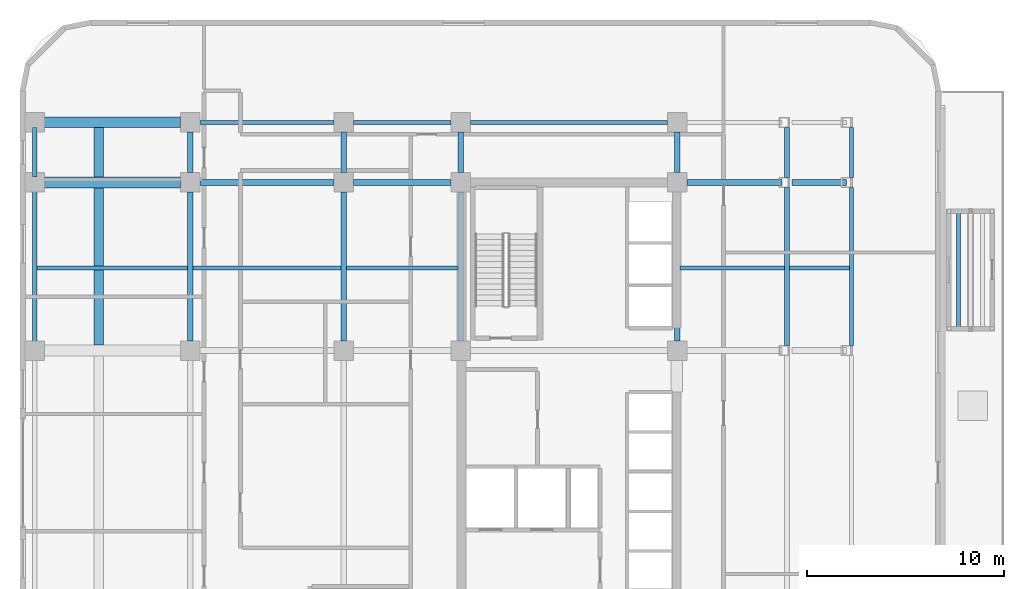
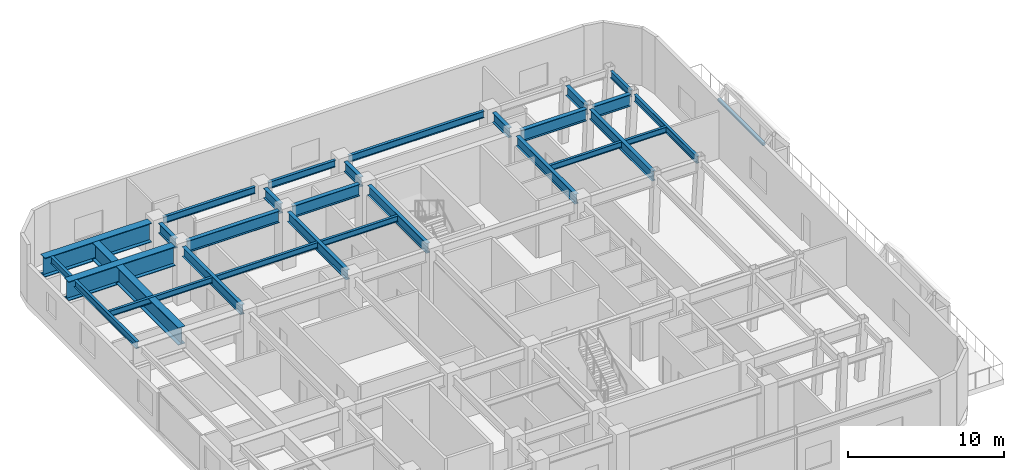
# One storey, part 5 of 18: 30 beams, 1 member.
"""IFC4 building model written with IfcOpenShell, lengths in metres."""

import ifcopenshell
import ifcopenshell.guid

model = None  # the IFC model being written
_history = None  # IfcOwnerHistory: only IFC2X3 demands one
_inside = {}  # id of a spatial element -> (the spatial element, [elements in it])
_under = {}  # id of a project, library or spatial element -> (it, [spatial elements below it])
_declared = {}  # id of a project -> (the project, [libraries it declares])
_typed = {}  # id of a type object -> (the type object, [elements of that type])
_made_of = {}  # id of a material, layer set ... -> (it, [elements and type objects made of it])


def new_model(schema):
    """Start an empty IFC model of exactly this schema.

    Asked for "IFC4X3", IfcOpenShell would pick the latest addendum, in which some entities
    have other attributes; the version numbers below select the first issue.
    IFC2X3 requires an IfcOwnerHistory on every rooted entity: one is made here for all.
    """
    global model, _history
    if schema == "IFC4X3":
        model = ifcopenshell.file(schema_version=(4, 3, 0, 0))
    else:
        model = ifcopenshell.file(schema=schema)
    _inside.clear()
    _under.clear()
    _declared.clear()
    _typed.clear()
    _made_of.clear()
    _history = None
    if model.schema == "IFC2X3":
        org = make("IfcOrganization", Name="unknown")
        user = make(
            "IfcPersonAndOrganization",
            ThePerson=make("IfcPerson", FamilyName="unknown"),
            TheOrganization=org,
        )
        app = make(
            "IfcApplication",
            ApplicationDeveloper=org,
            Version="unknown",
            ApplicationFullName="unknown",
            ApplicationIdentifier="unknown",
        )
        _history = make(
            "IfcOwnerHistory",
            OwningUser=user,
            OwningApplication=app,
            ChangeAction="ADDED",
            CreationDate=0,
        )
    return model


def make(cls, **values):
    """One entity of the class cls with the attributes given. An attribute that is None is left unset."""
    return model.create_entity(
        cls, **{name: value for name, value in values.items() if value is not None}
    )


def rooted(cls, **values):
    """An entity with a GlobalId (a new one), such as an element, a storey or a relation."""
    return make(cls, GlobalId=ifcopenshell.guid.new(), OwnerHistory=_history, **values)


def si_unit(unit_type, name, prefix=None):
    """IfcSIUnit, for example si_unit("LENGTHUNIT", "METRE", prefix="MILLI")."""
    return make("IfcSIUnit", UnitType=unit_type, Prefix=prefix, Name=name)


def assignment(units):
    """IfcUnitAssignment: the units of a project."""
    return None if units is None else make("IfcUnitAssignment", Units=units)


def point(xyz):
    """IfcCartesianPoint."""
    return None if xyz is None else make("IfcCartesianPoint", Coordinates=xyz)


def direction(xyz):
    """IfcDirection."""
    return None if xyz is None else make("IfcDirection", DirectionRatios=xyz)


def frame(location, z_axis=None, x_axis=None):
    """IfcAxis2Placement3D, a coordinate frame: its origin and axes. An axis left out is left unset."""
    return make(
        "IfcAxis2Placement3D",
        Location=point(location),
        Axis=direction(z_axis),
        RefDirection=direction(x_axis),
    )


def frame_2d(location, x_axis=None):
    """IfcAxis2Placement2D, a coordinate frame in the plane: its origin and x axis."""
    return make(
        "IfcAxis2Placement2D", Location=point(location), RefDirection=direction(x_axis)
    )


def origin():
    """The frame at (0, 0, 0) with its axes left unset."""
    return frame((0.0, 0.0, 0.0))


def origin_2d():
    """The frame at (0, 0) in the plane with its x axis left unset."""
    return frame_2d((0.0, 0.0))


def place(relative_to, where):
    """IfcLocalPlacement: puts the frame where relative to a parent placement (None: the world)."""
    return make(
        "IfcLocalPlacement", PlacementRelTo=relative_to, RelativePlacement=where
    )


def context(
    kind, dimensions, precision=None, world=None, true_north=None, identifier=None
):
    """IfcGeometricRepresentationContext, for example the 3D "Model" context."""
    return make(
        "IfcGeometricRepresentationContext",
        ContextIdentifier=identifier,
        ContextType=kind,
        CoordinateSpaceDimension=dimensions,
        Precision=precision,
        WorldCoordinateSystem=world,
        TrueNorth=true_north,
    )


def subcontext(parent, identifier, kind, view, scale=None):
    """IfcGeometricRepresentationSubContext, for example "Body" below "Model"."""
    return make(
        "IfcGeometricRepresentationSubContext",
        ContextIdentifier=identifier,
        ContextType=kind,
        ParentContext=parent,
        TargetScale=scale,
        TargetView=view,
    )


def project(units=None, contexts=None):
    """IfcProject with its units and contexts."""
    return rooted(
        "IfcProject",
        Name="project",
        RepresentationContexts=contexts,
        UnitsInContext=assignment(units),
    )


def spatial(cls, under=None, at=None, **own):
    """A site, building, storey or space (cls), placed at a placement, below another one or the project."""
    s = rooted(cls, ObjectPlacement=at, **own)
    if under is not None:
        _under.setdefault(under.id(), (under, []))[1].append(s)
    return s


def profile(cls, at=None, kind="AREA", **sizes):
    """A parametric profile (cls). Its sizes go by their IFC names, for example OverallWidth=200.0."""
    return make(cls, ProfileType=kind, Position=at, **sizes)


def hollow_rectangle(**sizes):
    """IfcRectangleHollowProfileDef."""
    return profile("IfcRectangleHollowProfileDef", **sizes)


def i_section(**sizes):
    """IfcIShapeProfileDef."""
    return profile("IfcIShapeProfileDef", **sizes)


def extrude(swept, where, along, depth):
    """IfcExtrudedAreaSolid: the profile swept, set in the frame where, extruded along a direction by depth."""
    return make(
        "IfcExtrudedAreaSolid",
        SweptArea=swept,
        Position=where,
        ExtrudedDirection=direction(along),
        Depth=depth,
    )


def shape(context_of_items, identifier, shape_type, items):
    """IfcShapeRepresentation: the items that make up one representation, for example the "Body"."""
    return make(
        "IfcShapeRepresentation",
        ContextOfItems=context_of_items,
        RepresentationIdentifier=identifier,
        RepresentationType=shape_type,
        Items=items,
    )


def material(Name=None, Category=None):
    """IfcMaterial."""
    return make("IfcMaterial", Name=Name, Category=Category)


def material_profile(
    of_material, cross_section, Name=None, Category=None, Priority=None
):
    """IfcMaterialProfile: a cross section and its material."""
    return make(
        "IfcMaterialProfile",
        Name=Name,
        Material=of_material,
        Profile=cross_section,
        Priority=Priority,
        Category=Category,
    )


def profile_set(profiles, Name=None, composite=None):
    """IfcMaterialProfileSet."""
    return make(
        "IfcMaterialProfileSet",
        Name=Name,
        MaterialProfiles=profiles,
        CompositeProfile=composite,
    )


def made_of(thing, what):
    """Note that an element or type object is made of a material, layer set ...; save() writes the relation."""
    if what is not None:
        _made_of.setdefault(what.id(), (what, []))[1].append(thing)
    return thing


def type_object(cls, material=None, **own):
    """A type object (cls), such as IfcWallType, which elements share."""
    return made_of(rooted(cls, **own), material)


def element(
    cls,
    number,
    at=None,
    inside=None,
    cuts=None,
    type_object=None,
    material=None,
    context=None,
    identifier="Body",
    shape_type=None,
    held_by="IfcProductDefinitionShape",
    body=None,
    shapes=None,
    **own,
):
    """One element of the class cls, such as IfcWall. Its Tag is "e" and its number.

    at: its placement. inside: the storey or other place that contains it. cuts: it is an
    opening in that element (IfcRelVoidsElement). A single representation is given by context,
    identifier, shape_type and body (its items); several are given by shapes. held_by: the class
    of the entity that holds the representations. save() writes the other relations.
    """
    e = rooted(cls, Tag="e%d" % number, ObjectPlacement=at, **own)
    if body is not None:
        shapes = [shape(context, identifier, shape_type, body)]
    if shapes is not None:
        e.Representation = make(held_by, Representations=shapes)
    if inside is not None:
        _inside.setdefault(inside.id(), (inside, []))[1].append(e)
    if cuts is not None:
        rooted(
            "IfcRelVoidsElement", RelatingBuildingElement=cuts, RelatedOpeningElement=e
        )
    if type_object is not None:
        _typed.setdefault(type_object.id(), (type_object, []))[1].append(e)
    return made_of(e, material)


def aggregate(whole, parts):
    """IfcRelAggregates: a whole, such as a stair, and the parts it consists of."""
    return rooted("IfcRelAggregates", RelatingObject=whole, RelatedObjects=parts)


def save(model, path):
    """Write the relations noted so far, then the file.

    IfcRelAggregates (storeys below a building ...), IfcRelContainedInSpatialStructure (elements
    in a storey), IfcRelDefinesByType, IfcRelAssociatesMaterial and IfcRelDeclares: one each for
    every whole, place, type object, material and project.
    """
    for whole, parts in _under.values():
        aggregate(whole, parts)
    for where, things in _inside.values():
        rooted(
            "IfcRelContainedInSpatialStructure",
            RelatedElements=things,
            RelatingStructure=where,
        )
    for kind, things in _typed.values():
        rooted("IfcRelDefinesByType", RelatedObjects=things, RelatingType=kind)
    for what, things in _made_of.values():
        rooted("IfcRelAssociatesMaterial", RelatedObjects=things, RelatingMaterial=what)
    for by, libraries in _declared.values():
        rooted("IfcRelDeclares", RelatingContext=by, RelatedDefinitions=libraries)
    model.write(path)


model = new_model("IFC4")

# Units and contexts
model_context = context("Model", 3, precision=1e-05, world=origin(), true_north=direction((0.0, 1.0)))
body_context = subcontext(model_context, "Body", "Model", "MODEL_VIEW")
ifc_project = project(units=[si_unit("LENGTHUNIT", "METRE"), si_unit("AREAUNIT", "SQUARE_METRE"), si_unit("VOLUMEUNIT", "CUBIC_METRE"), si_unit("PLANEANGLEUNIT", "RADIAN"), si_unit("MASSUNIT", "GRAM", prefix="KILO")], contexts=[model_context])

# Site, building, storey
site_placement = place(None, origin())
site = spatial("IfcSite", under=ifc_project, at=site_placement, CompositionType="ELEMENT")
building_placement = place(site_placement, origin())
building = spatial("IfcBuilding", under=site, at=building_placement, Name="Ochreholt Gables", CompositionType="ELEMENT")
storey_placement = place(building_placement, frame((0.0, 0.0, 19.199951171875)))
storey = spatial("IfcBuildingStorey", under=building, at=storey_placement, Name="L04", CompositionType="ELEMENT", Elevation=19.199951171875)

# Beams
ifc_material = material(Name="Steel CSA G40.21 350W", Category="steel")
ifc_material_profile_1 = material_profile(ifc_material, i_section(OverallWidth=0.26806640625, OverallDepth=0.77001953125, WebThickness=0.015625, FlangeThickness=0.025390625, at=origin_2d()), Name="W760X196")
ifc_profile_set_1 = profile_set([ifc_material_profile_1], Name="Steel CSA G40.21 350W")
beam_type_1 = type_object("IfcBeamType", Name="BM-G-W760", PredefinedType="BEAM", material=ifc_profile_set_1)
beam_1_placement = place(storey_placement, frame((10.449951171875, 30.69970703125, 4.114990234375), z_axis=(0.0, 1.0, 0.0), x_axis=(-1.0, 0.0, 0.0)))
element("IfcBeam", 1, at=beam_1_placement, inside=storey, type_object=beam_type_1, Name="L04 Beam BG-L04-W2-Y4Y5", PredefinedType="BEAM", context=body_context, shape_type="SweptSolid", body=[
    extrude(i_section(OverallWidth=0.26806640625, OverallDepth=0.77001953125, WebThickness=0.015625, FlangeThickness=0.025390625, at=origin_2d()), origin(), (0.0, 0.0, 1.0), 7.55078125),
])
beam_2_placement = place(storey_placement, frame((10.449951171875, 39.24951171875, 4.114990234375), z_axis=(0.0, 1.0, 0.0), x_axis=(-1.0, 0.0, 0.0)))
element("IfcBeam", 2, at=beam_2_placement, inside=storey, type_object=beam_type_1, Name="L04 Beam BG-L04-W2-Y5Y6", PredefinedType="BEAM", context=body_context, shape_type="SweptSolid", body=[
    extrude(i_section(OverallWidth=0.26806640625, OverallDepth=0.77001953125, WebThickness=0.015625, FlangeThickness=0.025390625, at=origin_2d()), origin(), (0.0, 0.0, 1.0), 2.05078125),
])
beam_3_placement = place(storey_placement, frame((18.25, 30.69970703125, 4.114990234375), z_axis=(0.0, 1.0, 0.0), x_axis=(-1.0, 0.0, 0.0)))
element("IfcBeam", 3, at=beam_3_placement, inside=storey, type_object=beam_type_1, Name="L04 Beam BG-L04-W3-Y4Y5", PredefinedType="BEAM", context=body_context, shape_type="SweptSolid", body=[
    extrude(i_section(OverallWidth=0.26806640625, OverallDepth=0.77001953125, WebThickness=0.015625, FlangeThickness=0.025390625, at=origin_2d()), origin(), (0.0, 0.0, 1.0), 7.55078125),
])
beam_4_placement = place(storey_placement, frame((18.25, 39.24951171875, 4.114990234375), z_axis=(0.0, 1.0, 0.0), x_axis=(-1.0, 0.0, 0.0)))
element("IfcBeam", 4, at=beam_4_placement, inside=storey, type_object=beam_type_1, Name="L04 Beam BG-L04-W3-Y5Y6", PredefinedType="BEAM", context=body_context, shape_type="SweptSolid", body=[
    extrude(i_section(OverallWidth=0.26806640625, OverallDepth=0.77001953125, WebThickness=0.015625, FlangeThickness=0.025390625, at=origin_2d()), origin(), (0.0, 0.0, 1.0), 2.05078125),
])
beam_5_placement = place(storey_placement, frame((24.199951171875, 30.69970703125, 4.114990234375), z_axis=(0.0, 1.0, 0.0), x_axis=(-1.0, 0.0, 0.0)))
element("IfcBeam", 5, at=beam_5_placement, inside=storey, type_object=beam_type_1, Name="L04 Beam BG-L04-C1-Y4Y5", PredefinedType="BEAM", context=body_context, shape_type="SweptSolid", body=[
    extrude(i_section(OverallWidth=0.26806640625, OverallDepth=0.77001953125, WebThickness=0.015625, FlangeThickness=0.025390625, at=origin_2d()), origin(), (0.0, 0.0, 1.0), 7.55078125),
])
beam_6_placement = place(storey_placement, frame((24.199951171875, 39.24951171875, 4.114990234375), z_axis=(0.0, 1.0, 0.0), x_axis=(-1.0, 0.0, 0.0)))
element("IfcBeam", 6, at=beam_6_placement, inside=storey, type_object=beam_type_1, Name="L04 Beam BG-L04-C1-Y5Y6", PredefinedType="BEAM", context=body_context, shape_type="SweptSolid", body=[
    extrude(i_section(OverallWidth=0.26806640625, OverallDepth=0.77001953125, WebThickness=0.015625, FlangeThickness=0.025390625, at=origin_2d()), origin(), (0.0, 0.0, 1.0), 2.05078125),
])
beam_7_placement = place(storey_placement, frame((35.199951171875, 30.69970703125, 4.114990234375), z_axis=(0.0, 1.0, 0.0), x_axis=(-1.0, 0.0, 0.0)))
element("IfcBeam", 7, at=beam_7_placement, inside=storey, type_object=beam_type_1, Name="L04 Beam BG-L04-C2-Y4Y5", PredefinedType="BEAM", context=body_context, shape_type="SweptSolid", body=[
    extrude(i_section(OverallWidth=0.26806640625, OverallDepth=0.77001953125, WebThickness=0.015625, FlangeThickness=0.025390625, at=origin_2d()), origin(), (0.0, 0.0, 1.0), 7.55078125),
])
beam_8_placement = place(storey_placement, frame((35.199951171875, 39.24951171875, 4.114990234375), z_axis=(0.0, 1.0, 0.0), x_axis=(-1.0, 0.0, 0.0)))
element("IfcBeam", 8, at=beam_8_placement, inside=storey, type_object=beam_type_1, Name="L04 Beam BG-L04-C2-Y5Y6", PredefinedType="BEAM", context=body_context, shape_type="SweptSolid", body=[
    extrude(i_section(OverallWidth=0.26806640625, OverallDepth=0.77001953125, WebThickness=0.015625, FlangeThickness=0.025390625, at=origin_2d()), origin(), (0.0, 0.0, 1.0), 2.05078125),
])
beam_9_placement = place(storey_placement, frame((40.77587890625, 30.44970703125, 4.114990234375), z_axis=(0.0, 1.0, 0.0), x_axis=(-1.0, 0.0, 0.0)))
element("IfcBeam", 9, at=beam_9_placement, inside=storey, type_object=beam_type_1, Name="L04 Beam BG-L04-EM-Y4Y5", PredefinedType="BEAM", context=body_context, shape_type="SweptSolid", body=[
    extrude(i_section(OverallWidth=0.26806640625, OverallDepth=0.77001953125, WebThickness=0.015625, FlangeThickness=0.025390625, at=origin_2d()), origin(), (0.0, 0.0, 1.0), 8.05078125),
])
beam_10_placement = place(storey_placement, frame((40.77587890625, 38.99951171875, 4.114990234375), z_axis=(0.0, 1.0, 0.0), x_axis=(-1.0, 0.0, 0.0)))
element("IfcBeam", 10, at=beam_10_placement, inside=storey, type_object=beam_type_1, Name="L04 Beam BG-L04-EM-Y5Y6", PredefinedType="BEAM", context=body_context, shape_type="SweptSolid", body=[
    extrude(i_section(OverallWidth=0.26806640625, OverallDepth=0.77001953125, WebThickness=0.015625, FlangeThickness=0.025390625, at=origin_2d()), origin(), (0.0, 0.0, 1.0), 2.55078125),
])
ifc_material_profile_2 = material_profile(ifc_material, i_section(OverallWidth=0.30810546875, OverallDepth=0.927001953125, WebThickness=0.019287109375, FlangeThickness=0.031982421875, at=origin_2d()), Name="W920X289")
ifc_profile_set_2 = profile_set([ifc_material_profile_2], Name="Steel CSA G40.21 350W")
beam_type_2 = type_object("IfcBeamType", Name="BM-G-W920", PredefinedType="BEAM", material=ifc_profile_set_2)
beam_11_placement = place(storey_placement, frame((10.94970703125, 38.75, 4.03662109375), z_axis=(1.0, 0.0, 0.0), x_axis=(0.0, 1.0, 0.0)))
element("IfcBeam", 11, at=beam_11_placement, inside=storey, type_object=beam_type_2, Name="L04 Beam BG-L04-W2W3-Y5", PredefinedType="BEAM", context=body_context, shape_type="SweptSolid", body=[
    extrude(i_section(OverallWidth=0.30810546875, OverallDepth=0.927001953125, WebThickness=0.019287109375, FlangeThickness=0.031982421875, at=origin_2d()), origin(), (0.0, 0.0, 1.0), 6.80078125),
])
beam_12_placement = place(storey_placement, frame((18.74951171875, 38.75, 4.03662109375), z_axis=(1.0, 0.0, 0.0), x_axis=(0.0, 1.0, 0.0)))
element("IfcBeam", 12, at=beam_12_placement, inside=storey, type_object=beam_type_2, Name="L04 Beam BG-L04-W3C1-Y5", PredefinedType="BEAM", context=body_context, shape_type="SweptSolid", body=[
    extrude(i_section(OverallWidth=0.30810546875, OverallDepth=0.927001953125, WebThickness=0.019287109375, FlangeThickness=0.031982421875, at=origin_2d()), origin(), (0.0, 0.0, 1.0), 4.950927734375),
])
beam_13_placement = place(storey_placement, frame((35.69970703125, 38.75, 4.03662109375), z_axis=(1.0, 0.0, 0.0), x_axis=(0.0, 1.0, 0.0)))
element("IfcBeam", 13, at=beam_13_placement, inside=storey, type_object=beam_type_2, Name="L04 Beam BG-L04-C2EM-Y5", PredefinedType="BEAM", context=body_context, shape_type="SweptSolid", body=[
    extrude(i_section(OverallWidth=0.30810546875, OverallDepth=0.927001953125, WebThickness=0.019287109375, FlangeThickness=0.031982421875, at=origin_2d()), origin(), (0.0, 0.0, 1.0), 4.82666015625),
])
beam_14_placement = place(storey_placement, frame((41.025634765625, 38.75, 4.03662109375), z_axis=(1.0, 0.0, 0.0), x_axis=(0.0, 1.0, 0.0)))
element("IfcBeam", 14, at=beam_14_placement, inside=storey, type_object=beam_type_2, Name="L04 Beam BG-L04-EMEE-Y5", PredefinedType="BEAM", context=body_context, shape_type="SweptSolid", body=[
    extrude(i_section(OverallWidth=0.30810546875, OverallDepth=0.927001953125, WebThickness=0.019287109375, FlangeThickness=0.031982421875, at=origin_2d()), origin(), (0.0, 0.0, 1.0), 2.773681640625),
])
ifc_material_profile_3 = material_profile(ifc_material, i_section(OverallWidth=0.18994140625, OverallDepth=0.45703125, WebThickness=0.009033203125, FlangeThickness=0.014404296875, at=origin_2d()), Name="W460X74")
ifc_profile_set_3 = profile_set([ifc_material_profile_3], Name="Steel CSA G40.21 350W")
beam_type_3 = type_object("IfcBeamType", Name="BM-J-W460B", PredefinedType="JOIST", material=ifc_profile_set_3)
beam_15_placement = place(storey_placement, frame((2.654052734375, 34.39990234375, 4.271484375), z_axis=(1.0, 0.0, 0.0), x_axis=(0.0, 1.0, 0.0)))
element("IfcBeam", 15, at=beam_15_placement, inside=storey, type_object=beam_type_3, Name="L04 Beam BJ-L04-J2-W1W2", PredefinedType="JOIST", context=body_context, shape_type="SweptSolid", body=[
    extrude(i_section(OverallWidth=0.18994140625, OverallDepth=0.45703125, WebThickness=0.009033203125, FlangeThickness=0.014404296875, at=origin_2d()), origin(), (0.0, 0.0, 1.0), 7.662353515625),
])
beam_16_placement = place(storey_placement, frame((10.58349609375, 34.39990234375, 4.271484375), z_axis=(1.0, 0.0, 0.0), x_axis=(0.0, 1.0, 0.0)))
element("IfcBeam", 16, at=beam_16_placement, inside=storey, type_object=beam_type_3, Name="L04 Beam BJ-L04-J2-W2W3", PredefinedType="JOIST", context=body_context, shape_type="SweptSolid", body=[
    extrude(i_section(OverallWidth=0.18994140625, OverallDepth=0.45703125, WebThickness=0.009033203125, FlangeThickness=0.014404296875, at=origin_2d()), origin(), (0.0, 0.0, 1.0), 7.532958984375),
])
beam_17_placement = place(storey_placement, frame((18.383544921875, 34.39990234375, 4.271484375), z_axis=(1.0, 0.0, 0.0), x_axis=(0.0, 1.0, 0.0)))
element("IfcBeam", 17, at=beam_17_placement, inside=storey, type_object=beam_type_3, Name="L04 Beam BJ-L04-J2-W3C1", PredefinedType="JOIST", context=body_context, shape_type="SweptSolid", body=[
    extrude(i_section(OverallWidth=0.18994140625, OverallDepth=0.45703125, WebThickness=0.009033203125, FlangeThickness=0.014404296875, at=origin_2d()), origin(), (0.0, 0.0, 1.0), 5.682861328125),
])
beam_18_placement = place(storey_placement, frame((35.33349609375, 34.39990234375, 4.271484375), z_axis=(1.0, 0.0, 0.0), x_axis=(0.0, 1.0, 0.0)))
element("IfcBeam", 18, at=beam_18_placement, inside=storey, type_object=beam_type_3, Name="L04 Beam BJ-L04-J2-C2EM", PredefinedType="JOIST", context=body_context, shape_type="SweptSolid", body=[
    extrude(i_section(OverallWidth=0.18994140625, OverallDepth=0.45703125, WebThickness=0.009033203125, FlangeThickness=0.014404296875, at=origin_2d()), origin(), (0.0, 0.0, 1.0), 5.308837890625),
])
beam_19_placement = place(storey_placement, frame((40.90966796875, 34.39990234375, 4.271484375), z_axis=(1.0, 0.0, 0.0), x_axis=(0.0, 1.0, 0.0)))
element("IfcBeam", 19, at=beam_19_placement, inside=storey, type_object=beam_type_3, Name="L04 Beam BJ-L04-J2-EMEE", PredefinedType="JOIST", context=body_context, shape_type="SweptSolid", body=[
    extrude(i_section(OverallWidth=0.18994140625, OverallDepth=0.45703125, WebThickness=0.009033203125, FlangeThickness=0.014404296875, at=origin_2d()), origin(), (0.0, 0.0, 1.0), 3.034912109375),
])
ifc_material_profile_4 = material_profile(ifc_material, i_section(OverallWidth=0.208984375, OverallDepth=0.532958984375, WebThickness=0.01025390625, FlangeThickness=0.015625, at=origin_2d()), Name="W530X92")
ifc_profile_set_4 = profile_set([ifc_material_profile_4], Name="Steel CSA G40.21 350W")
beam_type_4 = type_object("IfcBeamType", Name="BM-SP-W530B", PredefinedType="SPANDREL", material=ifc_profile_set_4)
beam_20_placement = place(storey_placement, frame((10.94970703125, 41.800048828125, 4.233642578125), z_axis=(1.0, 0.0, 0.0), x_axis=(0.0, 1.0, 0.0)))
element("IfcBeam", 20, at=beam_20_placement, inside=storey, type_object=beam_type_4, Name="L04 Beam BG-L04-W2W3-Y6", PredefinedType="SPANDREL", context=body_context, shape_type="SweptSolid", body=[
    extrude(i_section(OverallWidth=0.208984375, OverallDepth=0.532958984375, WebThickness=0.01025390625, FlangeThickness=0.015625, at=origin_2d()), origin(), (0.0, 0.0, 1.0), 6.80078125),
])
beam_21_placement = place(storey_placement, frame((18.74951171875, 41.800048828125, 4.233642578125), z_axis=(1.0, 0.0, 0.0), x_axis=(0.0, 1.0, 0.0)))
element("IfcBeam", 21, at=beam_21_placement, inside=storey, type_object=beam_type_4, Name="L04 Beam BG-L04-W3C1-Y6", PredefinedType="SPANDREL", context=body_context, shape_type="SweptSolid", body=[
    extrude(i_section(OverallWidth=0.208984375, OverallDepth=0.532958984375, WebThickness=0.01025390625, FlangeThickness=0.015625, at=origin_2d()), origin(), (0.0, 0.0, 1.0), 4.950927734375),
])
beam_22_placement = place(storey_placement, frame((24.69970703125, 41.800048828125, 4.233642578125), z_axis=(1.0, 0.0, 0.0), x_axis=(0.0, 1.0, 0.0)))
element("IfcBeam", 22, at=beam_22_placement, inside=storey, type_object=beam_type_4, Name="L04 Beam BG-L04-C1C2-Y6", PredefinedType="SPANDREL", context=body_context, shape_type="SweptSolid", body=[
    extrude(i_section(OverallWidth=0.208984375, OverallDepth=0.532958984375, WebThickness=0.01025390625, FlangeThickness=0.015625, at=origin_2d()), origin(), (0.0, 0.0, 1.0), 10.000732421875),
])
beam_23_placement = place(storey_placement, frame((2.550048828125, 30.474609375, 4.233642578125), z_axis=(0.0, 1.0, 0.0), x_axis=(-1.0, 0.0, 0.0)))
element("IfcBeam", 23, at=beam_23_placement, inside=storey, type_object=beam_type_4, Name="L04 Beam BG-L04-W1-Y4Y5", PredefinedType="SPANDREL", context=body_context, shape_type="SweptSolid", body=[
    extrude(i_section(OverallWidth=0.208984375, OverallDepth=0.532958984375, WebThickness=0.01025390625, FlangeThickness=0.015625, at=origin_2d()), origin(), (0.0, 0.0, 1.0), 8.000732421875),
])
beam_24_placement = place(storey_placement, frame((2.550048828125, 39.024658203125, 4.233642578125), z_axis=(0.0, 1.0, 0.0), x_axis=(-1.0, 0.0, 0.0)))
element("IfcBeam", 24, at=beam_24_placement, inside=storey, type_object=beam_type_4, Name="L04 Beam BG-L04-W1-Y5Y6", PredefinedType="SPANDREL", context=body_context, shape_type="SweptSolid", body=[
    extrude(i_section(OverallWidth=0.208984375, OverallDepth=0.532958984375, WebThickness=0.01025390625, FlangeThickness=0.015625, at=origin_2d()), origin(), (0.0, 0.0, 1.0), 2.500732421875),
])
beam_25_placement = place(storey_placement, frame((44.048828125, 30.44970703125, 4.233642578125), z_axis=(0.0, 1.0, 0.0), x_axis=(-1.0, 0.0, 0.0)))
element("IfcBeam", 25, at=beam_25_placement, inside=storey, type_object=beam_type_4, Name="L04 Beam BG-L04-EE-Y4Y5", PredefinedType="SPANDREL", context=body_context, shape_type="SweptSolid", body=[
    extrude(i_section(OverallWidth=0.208984375, OverallDepth=0.532958984375, WebThickness=0.01025390625, FlangeThickness=0.015625, at=origin_2d()), origin(), (0.0, 0.0, 1.0), 8.05078125),
])
beam_26_placement = place(storey_placement, frame((44.048828125, 38.99951171875, 4.233642578125), z_axis=(0.0, 1.0, 0.0), x_axis=(-1.0, 0.0, 0.0)))
element("IfcBeam", 26, at=beam_26_placement, inside=storey, type_object=beam_type_4, Name="L04 Beam BG-L04-EE-Y5Y6", PredefinedType="SPANDREL", context=body_context, shape_type="SweptSolid", body=[
    extrude(i_section(OverallWidth=0.208984375, OverallDepth=0.532958984375, WebThickness=0.01025390625, FlangeThickness=0.015625, at=origin_2d()), origin(), (0.0, 0.0, 1.0), 2.55078125),
])
ifc_material_profile_5 = material_profile(ifc_material, i_section(OverallWidth=0.5, OverallDepth=1.35009765625, WebThickness=0.02490234375, FlangeThickness=0.044921875, at=origin_2d()), Name="WWF1350X500")
ifc_profile_set_5 = profile_set([ifc_material_profile_5], Name="Steel CSA G40.21 350W")
beam_type_5 = type_object("IfcBeamType", Name="BM-TR-WWF1350", PredefinedType="T_BEAM", material=ifc_profile_set_5)
beam_27_placement = place(storey_placement, frame((5.800048828125, 30.474609375, 3.824951171875), z_axis=(0.0, 1.0, 0.0), x_axis=(-1.0, 0.0, 0.0)))
element("IfcBeam", 27, at=beam_27_placement, inside=storey, type_object=beam_type_5, Name="L04 Beam TRG-NS-Y4Y5-L04", PredefinedType="T_BEAM", context=body_context, shape_type="SweptSolid", body=[
    extrude(i_section(OverallWidth=0.5, OverallDepth=1.35009765625, WebThickness=0.02490234375, FlangeThickness=0.044921875, at=origin_2d()), origin(), (0.0, 0.0, 1.0), 8.000732421875),
])
beam_28_placement = place(storey_placement, frame((5.800048828125, 39.024658203125, 3.824951171875), z_axis=(0.0, 1.0, 0.0), x_axis=(-1.0, 0.0, 0.0)))
element("IfcBeam", 28, at=beam_28_placement, inside=storey, type_object=beam_type_5, Name="L04 Beam TRG-NS-Y5Y6-L04", PredefinedType="T_BEAM", context=body_context, shape_type="SweptSolid", body=[
    extrude(i_section(OverallWidth=0.5, OverallDepth=1.35009765625, WebThickness=0.02490234375, FlangeThickness=0.044921875, at=origin_2d()), origin(), (0.0, 0.0, 1.0), 2.500732421875),
])
ifc_material_profile_6 = material_profile(ifc_material, i_section(OverallWidth=0.550048828125, OverallDepth=1.5, WebThickness=0.028076171875, FlangeThickness=0.050048828125, at=origin_2d()), Name="WWF1500X550")
ifc_profile_set_6 = profile_set([ifc_material_profile_6], Name="Steel CSA G40.21 350W")
beam_type_6 = type_object("IfcBeamType", Name="BM-TR-WWF1500", PredefinedType="T_BEAM", material=ifc_profile_set_6)
beam_29_placement = place(storey_placement, frame((2.050048828125, 38.75, 3.75), z_axis=(1.0, 0.0, 0.0), x_axis=(0.0, 1.0, 0.0)))
element("IfcBeam", 29, at=beam_29_placement, inside=storey, type_object=beam_type_6, Name="L04 Beam TRG-W-Y5-L04", PredefinedType="T_BEAM", context=body_context, shape_type="SweptSolid", body=[
    extrude(i_section(OverallWidth=0.550048828125, OverallDepth=1.5, WebThickness=0.028076171875, FlangeThickness=0.050048828125, at=origin_2d()), origin(), (0.0, 0.0, 1.0), 7.900390625),
])
ifc_material_profile_7 = material_profile(ifc_material, i_section(OverallWidth=0.550048828125, OverallDepth=1.5, WebThickness=0.028076171875, FlangeThickness=0.050048828125, at=origin_2d()), Name="WWF1500X550")
ifc_profile_set_7 = profile_set([ifc_material_profile_7], Name="Steel CSA G40.21 350W")
beam_type_7 = type_object("IfcBeamType", Name="BM-TR-WWF1500E", PredefinedType="T_BEAM", material=ifc_profile_set_7)
beam_30_placement = place(storey_placement, frame((2.050048828125, 41.800048828125, 3.75), z_axis=(1.0, 0.0, 0.0), x_axis=(0.0, 1.0, 0.0)))
element("IfcBeam", 30, at=beam_30_placement, inside=storey, type_object=beam_type_7, Name="L04 Beam TRG-W-Y6-L04", PredefinedType="T_BEAM", context=body_context, shape_type="SweptSolid", body=[
    extrude(i_section(OverallWidth=0.550048828125, OverallDepth=1.5, WebThickness=0.028076171875, FlangeThickness=0.050048828125, at=origin_2d()), origin(), (0.0, 0.0, 1.0), 7.900390625),
])

# Member
ifc_material_profile_8 = material_profile(ifc_material, hollow_rectangle(XDim=0.202880859375, YDim=0.202880859375, WallThickness=0.009521484375, at=origin_2d()), Name="HSS203X203X10")
ifc_profile_set_8 = profile_set([ifc_material_profile_8], Name="Steel CSA G40.21 350W")
member_type = type_object("IfcMemberType", Name="MEM-GB-PR1", PredefinedType="PURLIN", material=ifc_profile_set_8)
member_placement = place(storey_placement, frame((49.49951171875, 31.39697265625, 2.974609375), z_axis=(0.0, 1.0, 0.0), x_axis=(-1.0, 0.0, 0.0)))
element("IfcMember", 31, at=member_placement, inside=storey, type_object=member_type, Name="L04 Gable West Purlin GB-04E2", PredefinedType="PURLIN", context=body_context, shape_type="SweptSolid", body=[
    extrude(hollow_rectangle(XDim=0.202880859375, YDim=0.202880859375, WallThickness=0.009521484375, at=origin_2d()), origin(), (0.0, 0.0, 1.0), 5.805908203125),
])

save(model, "model.ifc")
